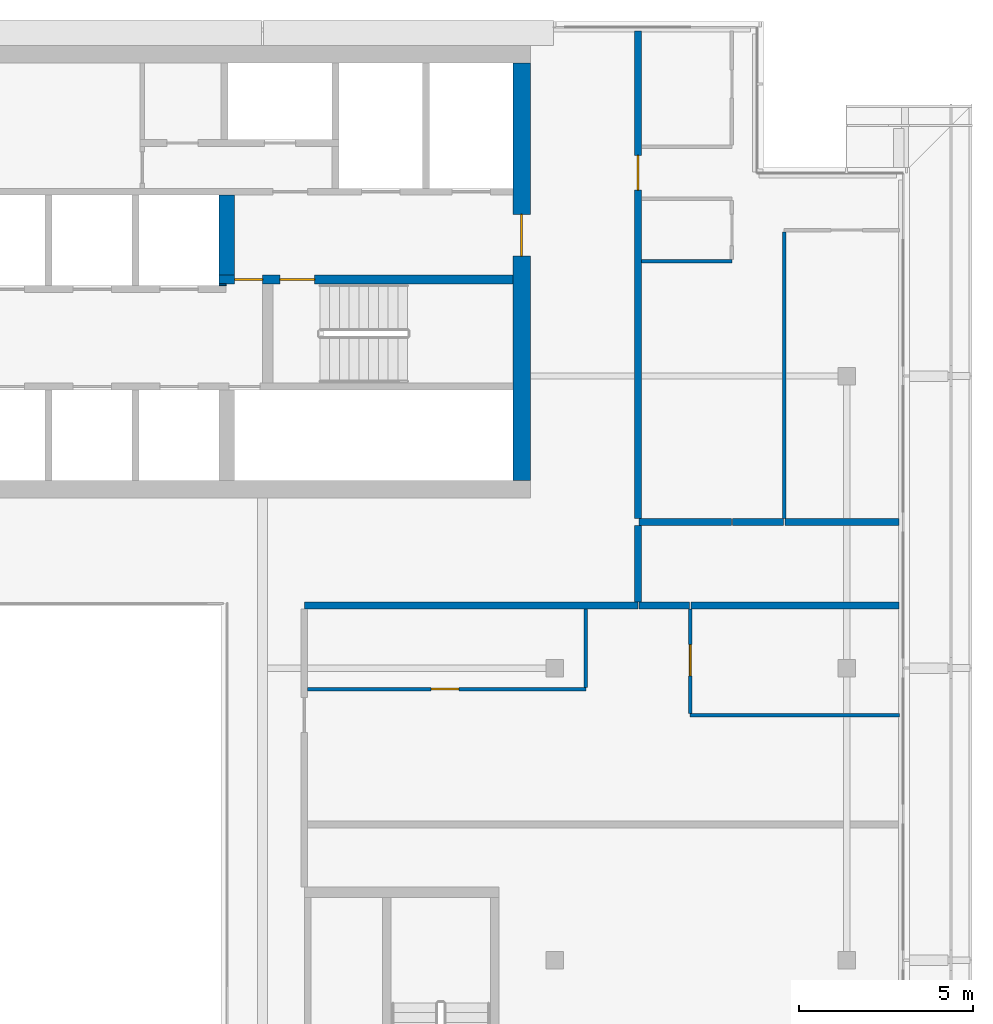
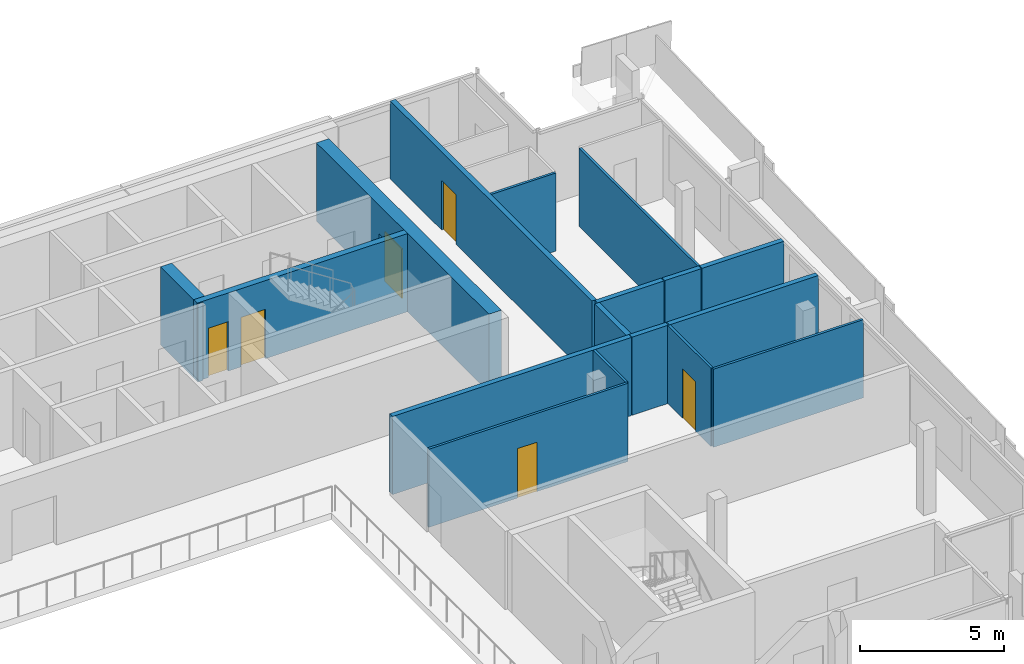
# One storey, part 13 of 19: 18 walls, 6 doors, 6 openings.
"""IFC4 building model written with IfcOpenShell, lengths in metres."""

from ifc_helpers import new_model, si_unit, direction, frame, frame_2d, origin, place, context, subcontext, project, spatial, rectangle, extrude, material, layer, layer_set, type_object, element, fill, save


model = new_model("IFC4")

# Units and contexts
model_context = context("Model", 3, precision=1e-05, world=origin(), true_north=direction((0.0, 1.0)))
body_context = subcontext(model_context, "Body", "Model", "MODEL_VIEW")
ifc_project = project(units=[si_unit("LENGTHUNIT", "METRE"), si_unit("AREAUNIT", "SQUARE_METRE"), si_unit("VOLUMEUNIT", "CUBIC_METRE"), si_unit("PLANEANGLEUNIT", "RADIAN"), si_unit("MASSUNIT", "GRAM", prefix="KILO")], contexts=[model_context])

# Site, building, storey
site_placement = place(None, origin())
site = spatial("IfcSite", under=ifc_project, at=site_placement, CompositionType="ELEMENT")
building_placement = place(site_placement, origin())
building = spatial("IfcBuilding", under=site, at=building_placement, Name="Saffron Gate Tower", CompositionType="ELEMENT")
storey_placement = place(building_placement, frame((0.0, 0.0, 292.35009765625)))
storey = spatial("IfcBuildingStorey", under=building, at=storey_placement, Name="L71", CompositionType="ELEMENT", Elevation=292.35009765625)

# Wall, opening, door
ifc_material_1 = material(Name="Concrete C50", Category="concrete")
ifc_layer_1 = layer(ifc_material_1, 0.5)
ifc_layer_set_1 = layer_set([ifc_layer_1], Name="CW22 RC core wall 500 C50")
wall_type_1 = type_object("IfcWallType", Name="CW22 RC core wall 500 C50", PredefinedType="SOLIDWALL", material=ifc_layer_set_1)
wall_1_placement = place(storey_placement, frame((107.64990234375, 62.39990234375, 0.0), z_axis=(0.0, 0.0, 1.0), x_axis=(0.0, 1.0, 0.0)))
wall_1 = element("IfcWall", 1, at=wall_1_placement, inside=storey, type_object=wall_type_1, Name="Wall CW22-L71-4", PredefinedType="SOLIDWALL", context=body_context, shape_type="SweptSolid", body=[
    extrude(rectangle(XDim=12.0, YDim=0.5, at=frame_2d((6.0, 0.0))), origin(), (0.0, 0.0, 1.0), 3.31982421875),
])
opening_1_placement = place(wall_1_placement, frame((6.449951171875, 0.0, 0.0)))
opening_1 = element("IfcOpeningElement", 2, at=opening_1_placement, cuts=wall_1, Name="Opening CR-08", PredefinedType="OPENING", context=body_context, shape_type="SweptSolid", body=[
    extrude(rectangle(XDim=1.199951171875, YDim=2.10009765625, at=frame_2d((0.60009765625, 1.050048828125))), frame((0.0, 0.260009765625, 0.0), z_axis=(0.0, -1.0, 0.0), x_axis=(1.0, 0.0, 0.0)), (0.0, 0.0, 1.0), 0.52001953125),
])
ifc_material_2 = material(Name="Steel fire door set", Category="steel")
door_type_1 = type_object("IfcDoorType", Name="CD7 Core entrance door 1200x2100 EI 120", OperationType="NOTDEFINED", PredefinedType="DOOR", material=ifc_material_2)
door_1_placement = place(opening_1_placement, origin())
door_1 = element("IfcDoor", 3, at=door_1_placement, inside=storey, type_object=door_type_1, Name="DOOR CR-08", OperationType="SINGLE_SWING_RIGHT", OverallHeight=2.10009765625, OverallWidth=1.199951171875, PredefinedType="DOOR", context=body_context, shape_type="SweptSolid", body=[
    extrude(rectangle(XDim=1.199951171875, YDim=2.10009765625, at=frame_2d((0.60009765625, 1.050048828125))), frame((0.0, 0.02490234375, 0.0), z_axis=(0.0, -1.0, 0.0), x_axis=(1.0, 0.0, 0.0)), (0.0, 0.0, 1.0), 0.050048828125),
])
fill(opening_1, door_1)

# Wall, openings, doors
ifc_layer_2 = layer(ifc_material_1, 0.25)
ifc_layer_set_2 = layer_set([ifc_layer_2], Name="CW23 RC core wall 250 C50")
wall_type_2 = type_object("IfcWallType", Name="CW23 RC core wall 250 C50", PredefinedType="SOLIDWALL", material=ifc_layer_set_2)
wall_2_placement = place(storey_placement, frame((98.949951171875, 68.175048828125, 0.0), z_axis=(0.0, 0.0, 1.0), x_axis=(1.0, 0.0, 0.0)))
wall_2 = element("IfcWall", 4, at=wall_2_placement, inside=storey, type_object=wall_type_2, Name="Wall CW23-L71-29", PredefinedType="SOLIDWALL", context=body_context, shape_type="SweptSolid", body=[
    extrude(rectangle(XDim=8.449951171875, YDim=0.25, at=frame_2d((4.22509765625, 0.0))), origin(), (0.0, 0.0, 1.0), 3.31982421875),
])
opening_2_placement = place(wall_2_placement, frame((0.449951171875, 0.0, 0.0)))
opening_2 = element("IfcOpeningElement", 5, at=opening_2_placement, cuts=wall_2, Name="Opening CR-05", PredefinedType="OPENING", context=body_context, shape_type="SweptSolid", body=[
    extrude(rectangle(XDim=0.800048828125, YDim=2.10009765625, at=frame_2d((0.39990234375, 1.050048828125))), frame((0.0, 0.135009765625, 0.0), z_axis=(0.0, -1.0, 0.0), x_axis=(1.0, 0.0, 0.0)), (0.0, 0.0, 1.0), 0.27001953125),
])
opening_3_placement = place(wall_2_placement, frame((1.75, 0.0, 0.0)))
opening_3 = element("IfcOpeningElement", 6, at=opening_3_placement, cuts=wall_2, Name="Opening CR-16", PredefinedType="OPENING", context=body_context, shape_type="SweptSolid", body=[
    extrude(rectangle(XDim=1.0, YDim=2.10009765625, at=frame_2d((0.5, 1.050048828125))), frame((0.0, 0.135009765625, 0.0), z_axis=(0.0, -1.0, 0.0), x_axis=(1.0, 0.0, 0.0)), (0.0, 0.0, 1.0), 0.27001953125),
])
door_type_2 = type_object("IfcDoorType", Name="CD5 Stair door 1000x2100 EI 120", OperationType="NOTDEFINED", PredefinedType="DOOR", material=ifc_material_2)
door_2_placement = place(opening_3_placement, origin())
door_2 = element("IfcDoor", 7, at=door_2_placement, inside=storey, type_object=door_type_2, Name="DOOR CR-16", OperationType="SINGLE_SWING_RIGHT", OverallHeight=2.10009765625, OverallWidth=1.0, PredefinedType="DOOR", context=body_context, shape_type="SweptSolid", body=[
    extrude(rectangle(XDim=1.0, YDim=2.10009765625, at=frame_2d((0.5, 1.050048828125))), frame((0.0, 0.02490234375, 0.0), z_axis=(0.0, -1.0, 0.0), x_axis=(1.0, 0.0, 0.0)), (0.0, 0.0, 1.0), 0.050048828125),
])
fill(opening_3, door_2)
door_type_3 = type_object("IfcDoorType", Name="CD6 Lobby door 800x2100 EI 120", OperationType="NOTDEFINED", PredefinedType="DOOR", material=ifc_material_2)
door_3_placement = place(opening_2_placement, origin())
door_3 = element("IfcDoor", 8, at=door_3_placement, inside=storey, type_object=door_type_3, Name="DOOR CR-05", OperationType="SINGLE_SWING_LEFT", OverallHeight=2.10009765625, OverallWidth=0.800048828125, PredefinedType="DOOR", context=body_context, shape_type="SweptSolid", body=[
    extrude(rectangle(XDim=0.800048828125, YDim=2.10009765625, at=frame_2d((0.39990234375, 1.050048828125))), frame((0.0, 0.02490234375, 0.0), z_axis=(0.0, -1.0, 0.0), x_axis=(1.0, 0.0, 0.0)), (0.0, 0.0, 1.0), 0.050048828125),
])
fill(opening_2, door_3)

# Walls
ifc_layer_3 = layer(ifc_material_1, 0.449951171875)
ifc_layer_set_3 = layer_set([ifc_layer_3], Name="CW24 RC core wall 450 C50")
wall_type_3 = type_object("IfcWallType", Name="CW24 RC core wall 450 C50", PredefinedType="SOLIDWALL", material=ifc_layer_set_3)
wall_3_placement = place(storey_placement, frame((99.175048828125, 68.300048828125, 0.0), z_axis=(0.0, 0.0, 1.0), x_axis=(0.0, 1.0, 0.0)))
element("IfcWall", 9, at=wall_3_placement, inside=storey, type_object=wall_type_3, Name="Wall CW24-L71-31", PredefinedType="SOLIDWALL", context=body_context, shape_type="SweptSolid", body=[
    extrude(rectangle(XDim=2.300048828125, YDim=0.449951171875, at=frame_2d((1.14990234375, 0.0))), origin(), (0.0, 0.0, 1.0), 3.31982421875),
])
ifc_layer_4 = layer(ifc_material_1, 0.050048828125)
ifc_layer_set_4 = layer_set([ifc_layer_4], Name="CW27 RC core wall 50 C50")
wall_type_4 = type_object("IfcWallType", Name="CW27 RC core wall 50 C50", PredefinedType="SOLIDWALL", material=ifc_layer_set_4)
wall_4_placement = place(storey_placement, frame((98.949951171875, 68.02490234375, 0.0), z_axis=(0.0, 0.0, 1.0), x_axis=(1.0, 0.0, 0.0)))
element("IfcWall", 10, at=wall_4_placement, inside=storey, type_object=wall_type_4, Name="Wall CW27-L71-27", PredefinedType="SOLIDWALL", context=body_context, shape_type="SweptSolid", body=[
    extrude(rectangle(XDim=0.199951171875, YDim=0.050048828125, at=frame_2d((0.10009765625, 0.0))), origin(), (0.0, 0.0, 1.0), 3.31982421875),
])
ifc_material_3 = material(Name="Plasterboard on steel studs", Category="steel")
ifc_layer_5 = layer(ifc_material_3, 0.10009765625)
ifc_layer_set_5 = layer_set([ifc_layer_5], Name="PW1 Partition 100")
wall_type_5 = type_object("IfcWallType", Name="PW1 Partition 100", PredefinedType="PARTITIONING", material=ifc_layer_set_5)
wall_5_placement = place(storey_placement, frame((112.5, 55.64990234375, 0.0), z_axis=(0.0, 0.0, 1.0), x_axis=(1.0, 0.0, 0.0)))
element("IfcWall", 11, at=wall_5_placement, inside=storey, type_object=wall_type_5, Name="Partition E5-10", PredefinedType="PARTITIONING", context=body_context, shape_type="SweptSolid", body=[
    extrude(rectangle(XDim=6.02001953125, YDim=0.10009765625, at=frame_2d((3.010009765625, 0.0))), origin(), (0.0, 0.0, 1.0), 3.31982421875),
])

# Wall, opening, door
wall_6_placement = place(storey_placement, frame((101.5, 56.39990234375, 0.0), z_axis=(0.0, 0.0, 1.0), x_axis=(1.0, 0.0, 0.0)))
wall_6 = element("IfcWall", 12, at=wall_6_placement, inside=storey, type_object=wall_type_5, Name="Partition E5-11", PredefinedType="PARTITIONING", context=body_context, shape_type="SweptSolid", body=[
    extrude(rectangle(XDim=8.0, YDim=0.10009765625, at=frame_2d((4.0, 0.0))), origin(), (0.0, 0.0, 1.0), 3.31982421875),
])
opening_4_placement = place(wall_6_placement, frame((3.550048828125, 0.0, 0.0)))
opening_4 = element("IfcOpeningElement", 13, at=opening_4_placement, cuts=wall_6, Name="Opening E5-12", PredefinedType="OPENING", context=body_context, shape_type="SweptSolid", body=[
    extrude(rectangle(XDim=0.800048828125, YDim=2.10009765625, at=frame_2d((0.39990234375, 1.050048828125))), frame((0.0, 0.06005859375, 0.0), z_axis=(0.0, -1.0, 0.0), x_axis=(1.0, 0.0, 0.0)), (0.0, 0.0, 1.0), 0.1201171875),
])
ifc_material_4 = material(Name="Timber door set", Category="wood")
door_type_4 = type_object("IfcDoorType", Name="RD2 Bathroom door 800x2100", OperationType="NOTDEFINED", PredefinedType="DOOR", material=ifc_material_4)
door_4_placement = place(opening_4_placement, origin())
door_4 = element("IfcDoor", 14, at=door_4_placement, inside=storey, type_object=door_type_4, Name="Door E5-12", OperationType="SINGLE_SWING_LEFT", OverallHeight=2.10009765625, OverallWidth=0.800048828125, PredefinedType="DOOR", context=body_context, shape_type="SweptSolid", body=[
    extrude(rectangle(XDim=0.800048828125, YDim=2.10009765625, at=frame_2d((0.39990234375, 1.050048828125))), frame((0.0, 0.02490234375, 0.0), z_axis=(0.0, -1.0, 0.0), x_axis=(1.0, 0.0, 0.0)), (0.0, 0.0, 1.0), 0.050048828125),
])
fill(opening_4, door_4)

# Walls
wall_7_placement = place(storey_placement, frame((111.10009765625, 68.699951171875, 0.0), z_axis=(0.0, 0.0, 1.0), x_axis=(1.0, 0.0, 0.0)))
element("IfcWall", 15, at=wall_7_placement, inside=storey, type_object=wall_type_5, Name="Partition E5-23", PredefinedType="PARTITIONING", context=body_context, shape_type="SweptSolid", body=[
    extrude(rectangle(XDim=2.599853515625, YDim=0.10009765625, at=frame_2d((1.2998046875, 0.0))), origin(), (0.0, 0.0, 1.0), 3.31982421875),
])
wall_8_placement = place(storey_placement, frame((109.5, 58.699951171875, 0.0), z_axis=(0.0, 0.0, 1.0), x_axis=(0.0, -1.0, 0.0)))
element("IfcWall", 16, at=wall_8_placement, inside=storey, type_object=wall_type_5, Name="Partition E5-40", PredefinedType="PARTITIONING", context=body_context, shape_type="SweptSolid", body=[
    extrude(rectangle(XDim=2.25, YDim=0.10009765625, at=frame_2d((1.125, 0.0))), origin(), (0.0, 0.0, 1.0), 3.31982421875),
])

# Wall, opening, door
wall_9_placement = place(storey_placement, frame((112.5, 58.699951171875, 0.0), z_axis=(0.0, 0.0, 1.0), x_axis=(0.0, -1.0, 0.0)))
wall_9 = element("IfcWall", 17, at=wall_9_placement, inside=storey, type_object=wall_type_5, Name="Partition E5-43", PredefinedType="PARTITIONING", context=body_context, shape_type="SweptSolid", body=[
    extrude(rectangle(XDim=3.0, YDim=0.10009765625, at=frame_2d((1.5, 0.0))), origin(), (0.0, 0.0, 1.0), 3.31982421875),
])
opening_5_placement = place(wall_9_placement, frame((1.02490234375, 0.0, 0.0)))
opening_5 = element("IfcOpeningElement", 18, at=opening_5_placement, cuts=wall_9, Name="Opening E5-7", PredefinedType="OPENING", context=body_context, shape_type="SweptSolid", body=[
    extrude(rectangle(XDim=0.89990234375, YDim=2.10009765625, at=frame_2d((0.449951171875, 1.050048828125))), frame((0.0, 0.06005859375, 0.0), z_axis=(0.0, -1.0, 0.0), x_axis=(1.0, 0.0, 0.0)), (0.0, 0.0, 1.0), 0.1201171875),
])
door_type_5 = type_object("IfcDoorType", Name="RD1 Room door 900x2100", OperationType="NOTDEFINED", PredefinedType="DOOR", material=ifc_material_4)
door_5_placement = place(opening_5_placement, origin())
door_5 = element("IfcDoor", 19, at=door_5_placement, inside=storey, type_object=door_type_5, Name="Door E5-7", OperationType="SINGLE_SWING_LEFT", OverallHeight=2.10009765625, OverallWidth=0.89990234375, PredefinedType="DOOR", context=body_context, shape_type="SweptSolid", body=[
    extrude(rectangle(XDim=0.89990234375, YDim=2.10009765625, at=frame_2d((0.449951171875, 1.050048828125))), frame((0.0, 0.02490234375, 0.0), z_axis=(0.0, -1.0, 0.0), x_axis=(1.0, 0.0, 0.0)), (0.0, 0.0, 1.0), 0.050048828125),
])
fill(opening_5, door_5)

# Walls
wall_10_placement = place(storey_placement, frame((115.199951171875, 69.550048828125, 0.0), z_axis=(0.0, 0.0, 1.0), x_axis=(0.0, -1.0, 0.0)))
element("IfcWall", 20, at=wall_10_placement, inside=storey, type_object=wall_type_5, Name="Partition E5-47", PredefinedType="PARTITIONING", context=body_context, shape_type="SweptSolid", body=[
    extrude(rectangle(XDim=8.25, YDim=0.10009765625, at=frame_2d((4.125, 0.0))), origin(), (0.0, 0.0, 1.0), 3.31982421875),
])
ifc_material_5 = material(Name="Clay brick masonry, rendered", Category="masonry")
ifc_layer_6 = layer(ifc_material_5, 0.199951171875)
ifc_layer_set_6 = layer_set([ifc_layer_6], Name="PW3 Corridor wall 200")
wall_type_6 = type_object("IfcWallType", Name="PW3 Corridor wall 200", PredefinedType="PARTITIONING", material=ifc_layer_set_6)
wall_11_placement = place(storey_placement, frame((101.39990234375, 58.800048828125, 0.0), z_axis=(0.0, 0.0, 1.0), x_axis=(1.0, 0.0, 0.0)))
element("IfcWall", 21, at=wall_11_placement, inside=storey, type_object=wall_type_6, Name="Wall E5-13", PredefinedType="PARTITIONING", context=body_context, shape_type="SweptSolid", body=[
    extrude(rectangle(XDim=9.60009765625, YDim=0.199951171875, at=frame_2d((4.800048828125, 0.0))), origin(), (0.0, 0.0, 1.0), 3.31982421875),
])

# Wall, opening, door
wall_12_placement = place(storey_placement, frame((111.0, 75.320068359375, 0.0), z_axis=(0.0, 0.0, 1.0), x_axis=(0.0, -1.0, 0.0)))
wall_12 = element("IfcWall", 22, at=wall_12_placement, inside=storey, type_object=wall_type_6, Name="Wall E5-41", PredefinedType="PARTITIONING", context=body_context, shape_type="SweptSolid", body=[
    extrude(rectangle(XDim=14.02001953125, YDim=0.199951171875, at=frame_2d((7.010009765625, 0.0))), origin(), (0.0, 0.0, 1.0), 3.31982421875),
])
opening_6_placement = place(wall_12_placement, frame((3.570068359375, 0.0, 0.0)))
opening_6 = element("IfcOpeningElement", 23, at=opening_6_placement, cuts=wall_12, Name="Opening E5-4", PredefinedType="OPENING", context=body_context, shape_type="SweptSolid", body=[
    extrude(rectangle(XDim=1.0, YDim=2.10009765625, at=frame_2d((0.5, 1.050048828125))), frame((0.0, 0.10986328125, 0.0), z_axis=(0.0, -1.0, 0.0), x_axis=(1.0, 0.0, 0.0)), (0.0, 0.0, 1.0), 0.219970703125),
])
ifc_material_6 = material(Name="Timber fire door set", Category="wood")
door_type_6 = type_object("IfcDoorType", Name="FD1 Flat entry door 1000x2100", OperationType="NOTDEFINED", PredefinedType="DOOR", material=ifc_material_6)
door_6_placement = place(opening_6_placement, origin())
door_6 = element("IfcDoor", 24, at=door_6_placement, inside=storey, type_object=door_type_6, Name="Door E5-4", OperationType="SINGLE_SWING_RIGHT", OverallHeight=2.10009765625, OverallWidth=1.0, PredefinedType="DOOR", context=body_context, shape_type="SweptSolid", body=[
    extrude(rectangle(XDim=1.0, YDim=2.10009765625, at=frame_2d((0.5, 1.050048828125))), frame((0.0, 0.02490234375, 0.0), z_axis=(0.0, -1.0, 0.0), x_axis=(1.0, 0.0, 0.0)), (0.0, 0.0, 1.0), 0.050048828125),
])
fill(opening_6, door_6)

# Walls
ifc_layer_7 = layer(ifc_material_5, 0.199951171875)
ifc_layer_set_7 = layer_set([ifc_layer_7], Name="PW5 Room wall 200")
wall_type_7 = type_object("IfcWallType", Name="PW5 Room wall 200", PredefinedType="PARTITIONING", material=ifc_layer_set_7)
wall_13_placement = place(storey_placement, frame((111.02001953125, 58.800048828125, 0.0), z_axis=(0.0, 0.0, 1.0), x_axis=(1.0, 0.0, 0.0)))
element("IfcWall", 25, at=wall_13_placement, inside=storey, type_object=wall_type_7, Name="Wall E5-15", PredefinedType="PARTITIONING", context=body_context, shape_type="SweptSolid", body=[
    extrude(rectangle(XDim=1.4599609375, YDim=0.199951171875, at=frame_2d((0.72998046875, 0.0))), origin(), (0.0, 0.0, 1.0), 3.31982421875),
])
wall_14_placement = place(storey_placement, frame((112.52001953125, 58.800048828125, 0.0), z_axis=(0.0, 0.0, 1.0), x_axis=(1.0, 0.0, 0.0)))
element("IfcWall", 26, at=wall_14_placement, inside=storey, type_object=wall_type_7, Name="Wall E5-16", PredefinedType="PARTITIONING", context=body_context, shape_type="SweptSolid", body=[
    extrude(rectangle(XDim=5.97998046875, YDim=0.199951171875, at=frame_2d((2.989990234375, 0.0))), origin(), (0.0, 0.0, 1.0), 3.31982421875),
])
wall_15_placement = place(storey_placement, frame((111.02001953125, 61.199951171875, 0.0), z_axis=(0.0, 0.0, 1.0), x_axis=(1.0, 0.0, 0.0)))
element("IfcWall", 27, at=wall_15_placement, inside=storey, type_object=wall_type_7, Name="Wall E5-20", PredefinedType="PARTITIONING", context=body_context, shape_type="SweptSolid", body=[
    extrude(rectangle(XDim=2.659912109375, YDim=0.199951171875, at=frame_2d((1.330078125, 0.0))), origin(), (0.0, 0.0, 1.0), 3.31982421875),
])
wall_16_placement = place(storey_placement, frame((113.719970703125, 61.199951171875, 0.0), z_axis=(0.0, 0.0, 1.0), x_axis=(1.0, 0.0, 0.0)))
element("IfcWall", 28, at=wall_16_placement, inside=storey, type_object=wall_type_7, Name="Wall E5-21", PredefinedType="PARTITIONING", context=body_context, shape_type="SweptSolid", body=[
    extrude(rectangle(XDim=1.4599609375, YDim=0.199951171875, at=frame_2d((0.72998046875, 0.0))), origin(), (0.0, 0.0, 1.0), 3.31982421875),
])
wall_17_placement = place(storey_placement, frame((115.219970703125, 61.199951171875, 0.0), z_axis=(0.0, 0.0, 1.0), x_axis=(1.0, 0.0, 0.0)))
element("IfcWall", 29, at=wall_17_placement, inside=storey, type_object=wall_type_7, Name="Wall E5-22", PredefinedType="PARTITIONING", context=body_context, shape_type="SweptSolid", body=[
    extrude(rectangle(XDim=3.280029296875, YDim=0.199951171875, at=frame_2d((1.64013671875, 0.0))), origin(), (0.0, 0.0, 1.0), 3.31982421875),
])
wall_18_placement = place(storey_placement, frame((111.0, 61.10009765625, 0.0), z_axis=(0.0, 0.0, 1.0), x_axis=(0.0, -1.0, 0.0)))
element("IfcWall", 30, at=wall_18_placement, inside=storey, type_object=wall_type_7, Name="Wall E5-42", PredefinedType="PARTITIONING", context=body_context, shape_type="SweptSolid", body=[
    extrude(rectangle(XDim=2.2001953125, YDim=0.199951171875, at=frame_2d((1.10009765625, 0.0))), origin(), (0.0, 0.0, 1.0), 3.31982421875),
])

save(model, "model.ifc")
